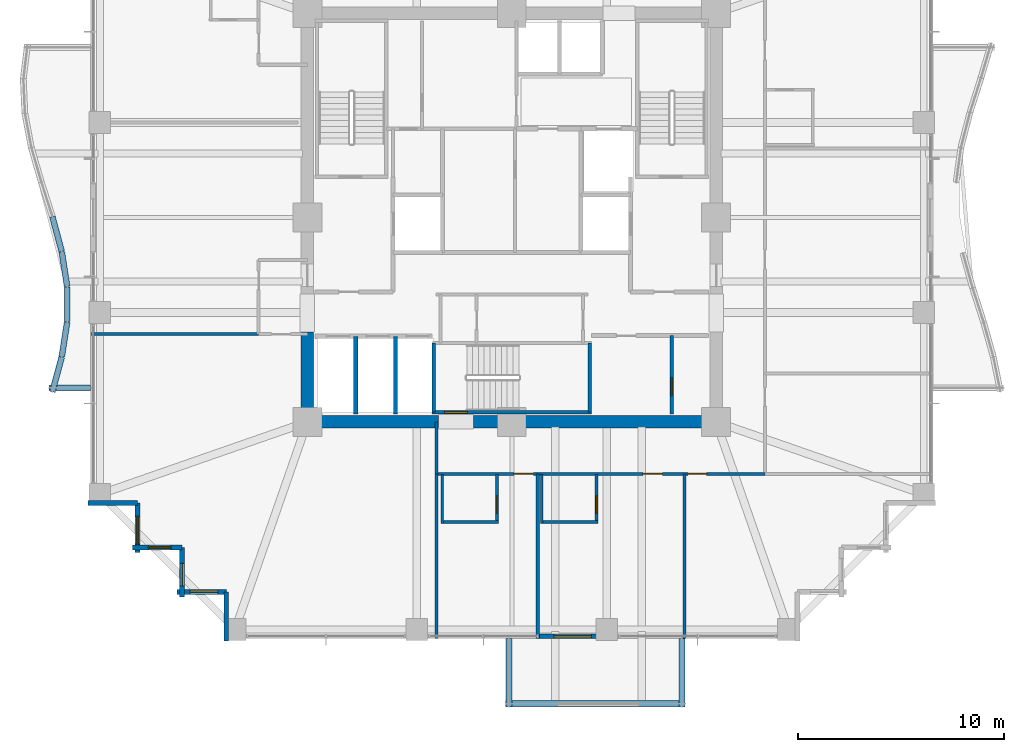
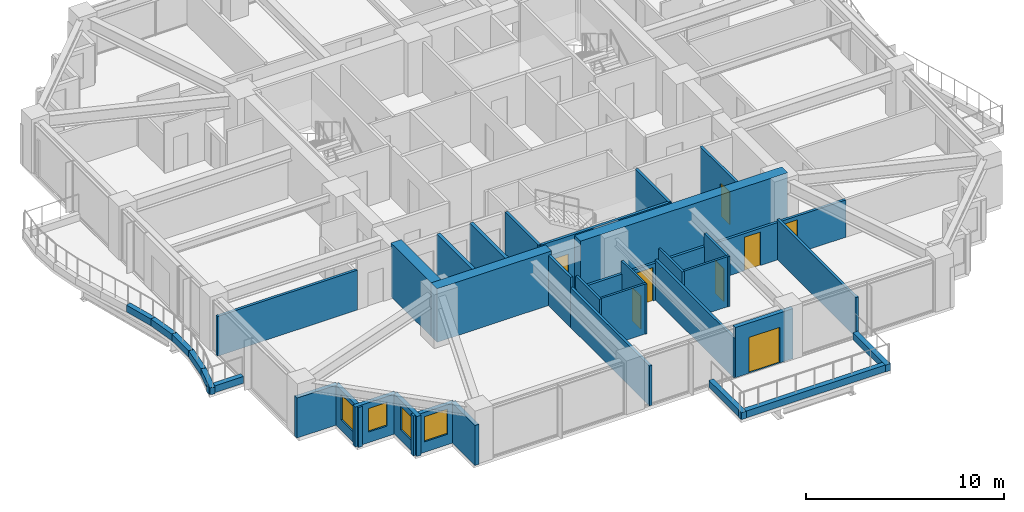
# One storey, part 31 of 38: 37 walls, 8 doors, 4 windows, 12 openings.
"""IFC4 building model written with IfcOpenShell, lengths in metres."""

from ifc_helpers import new_model, si_unit, direction, frame, frame_2d, origin, place, context, subcontext, project, spatial, rectangle, extrude, material, layer, layer_set, type_object, element, fill, save


model = new_model("IFC4")

# Units and contexts
model_context = context("Model", 3, precision=1e-05, world=origin(), true_north=direction((0.0, 1.0)))
body_context = subcontext(model_context, "Body", "Model", "MODEL_VIEW")
ifc_project = project(units=[si_unit("LENGTHUNIT", "METRE"), si_unit("AREAUNIT", "SQUARE_METRE"), si_unit("VOLUMEUNIT", "CUBIC_METRE"), si_unit("PLANEANGLEUNIT", "RADIAN"), si_unit("MASSUNIT", "GRAM", prefix="KILO")], contexts=[model_context])

# Site, building, storey
site_placement = place(None, origin())
site = spatial("IfcSite", under=ifc_project, at=site_placement, CompositionType="ELEMENT")
building_placement = place(site_placement, origin())
building = spatial("IfcBuilding", under=site, at=building_placement, Name="Kolvaren Belvedere", CompositionType="ELEMENT")
storey_placement = place(building_placement, frame((0.0, 0.0, 101.89990234375)))
storey = spatial("IfcBuildingStorey", under=building, at=storey_placement, Name="L29", CompositionType="ELEMENT", Elevation=101.89990234375)

# Walls
ifc_material_1 = material(Name="Concrete C60/75", Category="concrete")
ifc_layer_1 = layer(ifc_material_1, 0.60009765625)
ifc_layer_set_1 = layer_set([ifc_layer_1], Name="Concrete C60/75")
wall_type_1 = type_object("IfcWallType", Name="CW-CORE-600", PredefinedType="SHEAR", material=ifc_layer_set_1)
wall_1_placement = place(storey_placement, frame((10.199951171875, -9.89990234375, 0.0), z_axis=(0.0, 0.0, 1.0), x_axis=(-1.0, 0.0, 0.0)))
element("IfcWall", 1, at=wall_1_placement, inside=storey, type_object=wall_type_1, Name="L29 South Core Shear Wall 1", PredefinedType="SHEAR", context=body_context, shape_type="SweptSolid", body=[
    extrude(rectangle(XDim=12.06005859375, YDim=0.60009765625, at=frame_2d((6.030029296875, 0.0))), origin(), (0.0, 0.0, 1.0), 3.300048828125),
])
wall_2_placement = place(storey_placement, frame((-3.5400390625, -9.89990234375, 0.0), z_axis=(0.0, 0.0, 1.0), x_axis=(-1.0, 0.0, 0.0)))
element("IfcWall", 2, at=wall_2_placement, inside=storey, type_object=wall_type_1, Name="L29 South Core Shear Wall 2", PredefinedType="SHEAR", context=body_context, shape_type="SweptSolid", body=[
    extrude(rectangle(XDim=6.659912109375, YDim=0.60009765625, at=frame_2d((3.330078125, 0.0))), origin(), (0.0, 0.0, 1.0), 3.300048828125),
])
wall_3_placement = place(storey_placement, frame((-9.89990234375, -9.60009765625, 0.0), z_axis=(0.0, 0.0, 1.0), x_axis=(0.0, 1.0, 0.0)))
element("IfcWall", 3, at=wall_3_placement, inside=storey, type_object=wall_type_1, Name="L29 West Core Shear Wall 1", PredefinedType="SHEAR", context=body_context, shape_type="SweptSolid", body=[
    extrude(rectangle(XDim=4.050048828125, YDim=0.60009765625, at=frame_2d((2.02490234375, 0.0))), origin(), (0.0, 0.0, 1.0), 3.300048828125),
])

# Wall, opening, door
ifc_material_2 = material(Name="Concrete C50/60", Category="concrete")
ifc_layer_2 = layer(ifc_material_2, 0.159912109375)
ifc_layer_set_2 = layer_set([ifc_layer_2], Name="Concrete C50/60")
wall_type_2 = type_object("IfcWallType", Name="CW-STAIR-160", PredefinedType="SHEAR", material=ifc_layer_set_2)
wall_4_placement = place(storey_placement, frame((3.860107421875, -9.429931640625, 0.0), z_axis=(0.0, 0.0, 1.0), x_axis=(-1.0, 0.0, 0.0)))
wall_4 = element("IfcWall", 4, at=wall_4_placement, inside=storey, type_object=wall_type_2, Name="L29 Stair ST-3 South Shear Wall", PredefinedType="SHEAR", context=body_context, shape_type="SweptSolid", body=[
    extrude(rectangle(XDim=7.72021484375, YDim=0.159912109375, at=frame_2d((3.860107421875, 0.0))), origin(), (0.0, 0.0, 1.0), 3.300048828125),
])
opening_1_placement = place(wall_4_placement, frame((6.010009765625, 0.0, 0.0)))
opening_1 = element("IfcOpeningElement", 5, at=opening_1_placement, cuts=wall_4, Name="Opening D-FD90", PredefinedType="OPENING", context=body_context, shape_type="SweptSolid", body=[
    extrude(rectangle(XDim=1.10009765625, YDim=2.199951171875, at=frame_2d((0.550048828125, 1.10009765625))), frame((0.0, 0.08984375, 0.0), z_axis=(0.0, -1.0, 0.0), x_axis=(1.0, 0.0, 0.0)), (0.0, 0.0, 1.0), 0.179931640625),
])
ifc_material_3 = material(Name="Painted hollow stainless steel", Category="steel")
door_type_1 = type_object("IfcDoorType", Name="DR-FD90-1100", OperationType="NOTDEFINED", PredefinedType="DOOR", material=ifc_material_3)
door_1_placement = place(opening_1_placement, origin())
door_1 = element("IfcDoor", 6, at=door_1_placement, inside=storey, type_object=door_type_1, Name="L29 Stair ST-3 Exit Door", OperationType="SINGLE_SWING_RIGHT", OverallHeight=2.199951171875, OverallWidth=1.10009765625, PredefinedType="DOOR", context=body_context, shape_type="SweptSolid", body=[
    extrude(rectangle(XDim=1.10009765625, YDim=2.199951171875, at=frame_2d((0.550048828125, 1.10009765625))), frame((0.0, 0.02490234375, 0.0), z_axis=(0.0, -1.0, 0.0), x_axis=(1.0, 0.0, 0.0)), (0.0, 0.0, 1.0), 0.050048828125),
])
fill(opening_1, door_1)

# Walls
for number, where, z_axis, x_axis, name in (
    (7, (-3.780029296875, -9.429931640625, 0.0), (0.0, 0.0, 1.0), (0.0, 1.0, 0.0), "L29 Stair ST-3 West Shear Wall"),
    (8, (3.780029296875, -9.429931640625, 0.0), (0.0, 0.0, 1.0), (0.0, 1.0, 0.0), "L29 Stair ST-3 East Shear Wall"),
):
    element("IfcWall", number, at=place(storey_placement, frame(where, z_axis=z_axis, x_axis=x_axis)), inside=storey, type_object=wall_type_2, Name=name, PredefinedType="SHEAR", context=body_context, shape_type="SweptSolid", body=[
        extrude(rectangle(XDim=3.349853515625, YDim=0.159912109375, at=frame_2d((1.6748046875, 0.0))), origin(), (0.0, 0.0, 1.0), 3.300048828125),
    ])

# Wall, openings, doors
ifc_material_4 = material(Name="Gypsum fire-rated partition assembly", Category="gypsum")
ifc_layer_3 = layer(ifc_material_4, 0.14990234375)
ifc_layer_set_3 = layer_set([ifc_layer_3], Name="Gypsum fire-rated partition assembly")
wall_type_3 = type_object("IfcWallType", Name="WL-CORR-150", PredefinedType="PARTITIONING", material=ifc_layer_set_3)
wall_5_placement = place(storey_placement, frame((-3.64990234375, -12.419921875, 0.0), z_axis=(0.0, 0.0, 1.0), x_axis=(1.0, 0.0, 0.0)))
wall_5 = element("IfcWall", 9, at=wall_5_placement, inside=storey, type_object=wall_type_3, Name="L29 South-East Corridor Wall", PredefinedType="PARTITIONING", context=body_context, shape_type="SweptSolid", body=[
    extrude(rectangle(XDim=15.909912109375, YDim=0.14990234375, at=frame_2d((7.955078125, 0.0))), origin(), (0.0, 0.0, 1.0), 2.2919921875),
])
opening_2_placement = place(wall_5_placement, frame((3.748779296875, 0.0, 0.0)))
opening_2 = element("IfcOpeningElement", 10, at=opening_2_placement, cuts=wall_5, Name="Opening D-FD60", PredefinedType="OPENING", context=body_context, shape_type="SweptSolid", body=[
    extrude(rectangle(XDim=0.949951171875, YDim=2.06005859375, at=frame_2d((0.47509765625, 1.030029296875))), frame((0.0, 0.0849609375, 0.0), z_axis=(0.0, -1.0, 0.0), x_axis=(1.0, 0.0, 0.0)), (0.0, 0.0, 1.0), 0.169921875),
])
opening_3_placement = place(wall_5_placement, frame((9.9990234375, 0.0, 0.0)))
opening_3 = element("IfcOpeningElement", 11, at=opening_3_placement, cuts=wall_5, Name="Opening D-FD60", PredefinedType="OPENING", context=body_context, shape_type="SweptSolid", body=[
    extrude(rectangle(XDim=0.949951171875, YDim=2.06005859375, at=frame_2d((0.47509765625, 1.030029296875))), frame((0.0, 0.0849609375, 0.0), z_axis=(0.0, -1.0, 0.0), x_axis=(1.0, 0.0, 0.0)), (0.0, 0.0, 1.0), 0.169921875),
])
opening_4_placement = place(wall_5_placement, frame((12.193359375, 0.0, 0.0)))
opening_4 = element("IfcOpeningElement", 12, at=opening_4_placement, cuts=wall_5, Name="Opening D-INT90", PredefinedType="OPENING", context=body_context, shape_type="SweptSolid", body=[
    extrude(rectangle(XDim=0.89990234375, YDim=2.06005859375, at=frame_2d((0.449951171875, 1.030029296875))), frame((0.0, 0.0849609375, 0.0), z_axis=(0.0, -1.0, 0.0), x_axis=(1.0, 0.0, 0.0)), (0.0, 0.0, 1.0), 0.169921875),
])
ifc_material_5 = material(Name="Acoustic white-oak fire door leaf", Category="timber")
door_type_2 = type_object("IfcDoorType", Name="DR-FD60-950", OperationType="NOTDEFINED", PredefinedType="DOOR", material=ifc_material_5)
door_2_placement = place(opening_2_placement, origin())
door_2 = element("IfcDoor", 13, at=door_2_placement, inside=storey, type_object=door_type_2, Name="L29 King Guest Room 2910 Entry Door", OperationType="SINGLE_SWING_RIGHT", OverallHeight=2.06005859375, OverallWidth=0.949951171875, PredefinedType="DOOR", context=body_context, shape_type="SweptSolid", body=[
    extrude(rectangle(XDim=0.949951171875, YDim=2.06005859375, at=frame_2d((0.47509765625, 1.030029296875))), frame((0.0, 0.02490234375, 0.0), z_axis=(0.0, -1.0, 0.0), x_axis=(1.0, 0.0, 0.0)), (0.0, 0.0, 1.0), 0.050048828125),
])
fill(opening_2, door_2)
door_3_placement = place(opening_3_placement, origin())
door_3 = element("IfcDoor", 14, at=door_3_placement, inside=storey, type_object=door_type_2, Name="L29 Botanical Hospitality Suite 2911 Entry Door", OperationType="SINGLE_SWING_RIGHT", OverallHeight=2.06005859375, OverallWidth=0.949951171875, PredefinedType="DOOR", context=body_context, shape_type="SweptSolid", body=[
    extrude(rectangle(XDim=0.949951171875, YDim=2.06005859375, at=frame_2d((0.47509765625, 1.030029296875))), frame((0.0, 0.02490234375, 0.0), z_axis=(0.0, -1.0, 0.0), x_axis=(1.0, 0.0, 0.0)), (0.0, 0.0, 1.0), 0.050048828125),
])
fill(opening_3, door_3)
ifc_material_6 = material(Name="Stained Pacific white oak", Category="timber")
door_type_3 = type_object("IfcDoorType", Name="DR-INT-900", OperationType="NOTDEFINED", PredefinedType="DOOR", material=ifc_material_6)
door_4_placement = place(opening_4_placement, origin())
door_4 = element("IfcDoor", 15, at=door_4_placement, inside=storey, type_object=door_type_3, Name="L29 Lounge 2912 Door", OperationType="SINGLE_SWING_LEFT", OverallHeight=2.06005859375, OverallWidth=0.89990234375, PredefinedType="DOOR", context=body_context, shape_type="SweptSolid", body=[
    extrude(rectangle(XDim=0.89990234375, YDim=2.06005859375, at=frame_2d((0.449951171875, 1.030029296875))), frame((0.0, 0.02490234375, 0.0), z_axis=(0.0, -1.0, 0.0), x_axis=(1.0, 0.0, 0.0)), (0.0, 0.0, 1.0), 0.050048828125),
])
fill(opening_4, door_4)

# Wall
wall_6_placement = place(storey_placement, frame((-3.64990234375, -12.419921875, 0.0), z_axis=(0.0, 0.0, 1.0), x_axis=(0.0, 1.0, 0.0)))
element("IfcWall", 16, at=wall_6_placement, inside=storey, type_object=wall_type_3, Name="L29 South Spur West Closure Wall", PredefinedType="PARTITIONING", context=body_context, shape_type="SweptSolid", body=[
    extrude(rectangle(XDim=2.52001953125, YDim=0.14990234375, at=frame_2d((1.260009765625, 0.0))), origin(), (0.0, 0.0, 1.0), 3.080078125),
])

# Wall, opening, door
ifc_material_7 = material(Name="Insulated pale-metal facade wall assembly", Category="aluminium")
ifc_layer_4 = layer(ifc_material_7, 0.239990234375)
ifc_layer_set_4 = layer_set([ifc_layer_4], Name="Insulated pale-metal facade wall assembly")
wall_type_4 = type_object("IfcWallType", Name="WL-EXT-240", PredefinedType="STANDARD", material=ifc_layer_set_4)
wall_7_placement = place(storey_placement, frame((4.6298828125, -20.280029296875, 0.0), z_axis=(0.0, 0.0, 1.0), x_axis=(-1.0, 0.0, 0.0)))
wall_7 = element("IfcWall", 17, at=wall_7_placement, inside=storey, type_object=wall_type_4, Name="L29 South Terrace Portal Wall", PredefinedType="STANDARD", context=body_context, shape_type="SweptSolid", body=[
    extrude(rectangle(XDim=3.35986328125, YDim=0.239990234375, at=frame_2d((1.679931640625, 0.0))), origin(), (0.0, 0.0, 1.0), 3.080078125),
])
opening_5_placement = place(wall_7_placement, frame((0.780029296875, 0.0, 0.0)))
opening_5 = element("IfcOpeningElement", 18, at=opening_5_placement, cuts=wall_7, Name="Opening DB-1800", PredefinedType="OPENING", context=body_context, shape_type="SweptSolid", body=[
    extrude(rectangle(XDim=1.800048828125, YDim=2.199951171875, at=frame_2d((0.89990234375, 1.10009765625))), frame((0.0, 0.1298828125, 0.0), z_axis=(0.0, -1.0, 0.0), x_axis=(1.0, 0.0, 0.0)), (0.0, 0.0, 1.0), 0.260009765625),
])
ifc_material_8 = material(Name="Thermally broken pale-metal aluminium & low-iron glass", Category="aluminium")
door_type_4 = type_object("IfcDoorType", Name="DR-BAL-1800", OperationType="DOUBLE_DOOR_SLIDING", PredefinedType="DOOR", material=ifc_material_8)
door_5_placement = place(opening_5_placement, origin())
door_5 = element("IfcDoor", 19, at=door_5_placement, inside=storey, type_object=door_type_4, Name="L29 South Planted Terrace Sliding Door", OperationType="DOUBLE_DOOR_SLIDING", OverallHeight=2.199951171875, OverallWidth=1.800048828125, PredefinedType="DOOR", context=body_context, shape_type="SweptSolid", body=[
    extrude(rectangle(XDim=1.800048828125, YDim=2.199951171875, at=frame_2d((0.89990234375, 1.10009765625))), frame((0.0, 0.02490234375, 0.0), z_axis=(0.0, -1.0, 0.0), x_axis=(1.0, 0.0, 0.0)), (0.0, 0.0, 1.0), 0.050048828125),
])
fill(opening_5, door_5)

# Wall
wall_8_placement = place(storey_placement, frame((-18.1298828125, -13.830078125, 0.0), z_axis=(0.0, 0.0, 1.0), x_axis=(-1.0, 0.0, 0.0)))
element("IfcWall", 20, at=wall_8_placement, inside=storey, type_object=wall_type_4, Name="L29 Serrated Corner Facade Wall 23", PredefinedType="STANDARD", context=body_context, shape_type="SweptSolid", body=[
    extrude(rectangle(XDim=2.39013671875, YDim=0.239990234375, at=frame_2d((1.195068359375, 0.0))), origin(), (0.0, 0.0, 1.0), 2.458984375),
])

# Wall, opening, window
wall_9_placement = place(storey_placement, frame((-18.1298828125, -16.219970703125, 0.0), z_axis=(0.0, 0.0, 1.0), x_axis=(0.0, 1.0, 0.0)))
wall_9 = element("IfcWall", 21, at=wall_9_placement, inside=storey, type_object=wall_type_4, Name="L29 Serrated Corner Facade Wall 24", PredefinedType="STANDARD", context=body_context, shape_type="SweptSolid", body=[
    extrude(rectangle(XDim=2.389892578125, YDim=0.239990234375, at=frame_2d((1.19482421875, 0.0))), origin(), (0.0, 0.0, 1.0), 2.458984375),
])
opening_6_placement = place(wall_9_placement, frame((0.39990234375, 0.0, 0.64990234375)))
opening_6 = element("IfcOpeningElement", 22, at=opening_6_placement, cuts=wall_9, Name="Opening W-1350", PredefinedType="OPENING", context=body_context, shape_type="SweptSolid", body=[
    extrude(rectangle(XDim=1.35009765625, YDim=1.550048828125, at=frame_2d((0.675048828125, 0.77490234375))), frame((0.0, 0.1298828125, 0.0), z_axis=(0.0, -1.0, 0.0), x_axis=(1.0, 0.0, 0.0)), (0.0, 0.0, 1.0), 0.260009765625),
])
ifc_material_9 = material(Name="Low-iron triple insulated glass", Category="glass")
window_type_1 = type_object("IfcWindowType", Name="WN-CORN-1350", PartitioningType="SINGLE_PANEL", PredefinedType="WINDOW", material=ifc_material_9)
window_1_placement = place(opening_6_placement, origin())
window_1 = element("IfcWindow", 23, at=window_1_placement, inside=storey, type_object=window_type_1, Name="L29 Serrated Corner Vision Window 24", OverallHeight=1.550048828125, OverallWidth=1.35009765625, PartitioningType="SINGLE_PANEL", PredefinedType="WINDOW", context=body_context, shape_type="SweptSolid", body=[
    extrude(rectangle(XDim=1.35009765625, YDim=1.550048828125, at=frame_2d((0.675048828125, 0.77490234375))), frame((0.0, 0.030029296875, 0.0), z_axis=(0.0, -1.0, 0.0), x_axis=(1.0, 0.0, 0.0)), (0.0, 0.0, 1.0), 0.06005859375),
])
fill(opening_6, window_1)

wall_10_placement = place(storey_placement, frame((-15.97998046875, -15.97998046875, 0.0), z_axis=(0.0, 0.0, 1.0), x_axis=(-1.0, 0.0, 0.0)))
wall_10 = element("IfcWall", 24, at=wall_10_placement, inside=storey, type_object=wall_type_4, Name="L29 Serrated Corner Facade Wall 25", PredefinedType="STANDARD", context=body_context, shape_type="SweptSolid", body=[
    extrude(rectangle(XDim=2.39013671875, YDim=0.239990234375, at=frame_2d((1.195068359375, 0.0))), origin(), (0.0, 0.0, 1.0), 2.458984375),
])
opening_7_placement = place(wall_10_placement, frame((0.52490234375, 0.0, 0.64990234375)))
opening_7 = element("IfcOpeningElement", 25, at=opening_7_placement, cuts=wall_10, Name="Opening W-1100", PredefinedType="OPENING", context=body_context, shape_type="SweptSolid", body=[
    extrude(rectangle(XDim=1.10009765625, YDim=1.449951171875, at=frame_2d((0.550048828125, 0.72509765625))), frame((0.0, 0.1298828125, 0.0), z_axis=(0.0, -1.0, 0.0), x_axis=(1.0, 0.0, 0.0)), (0.0, 0.0, 1.0), 0.260009765625),
])
ifc_material_10 = material(Name="Low-iron triple insulated glass", Category="glass")
window_type_2 = type_object("IfcWindowType", Name="WN-CORN-1100", PartitioningType="SINGLE_PANEL", PredefinedType="WINDOW", material=ifc_material_10)
window_2_placement = place(opening_7_placement, origin())
window_2 = element("IfcWindow", 26, at=window_2_placement, inside=storey, type_object=window_type_2, Name="L29 Serrated Corner Vision Window 25", OverallHeight=1.449951171875, OverallWidth=1.10009765625, PartitioningType="SINGLE_PANEL", PredefinedType="WINDOW", context=body_context, shape_type="SweptSolid", body=[
    extrude(rectangle(XDim=1.10009765625, YDim=1.449951171875, at=frame_2d((0.550048828125, 0.72509765625))), frame((0.0, 0.030029296875, 0.0), z_axis=(0.0, -1.0, 0.0), x_axis=(1.0, 0.0, 0.0)), (0.0, 0.0, 1.0), 0.06005859375),
])
fill(opening_7, window_2)

wall_11_placement = place(storey_placement, frame((-15.97998046875, -18.3701171875, 0.0), z_axis=(0.0, 0.0, 1.0), x_axis=(0.0, 1.0, 0.0)))
wall_11 = element("IfcWall", 27, at=wall_11_placement, inside=storey, type_object=wall_type_4, Name="L29 Serrated Corner Facade Wall 26", PredefinedType="STANDARD", context=body_context, shape_type="SweptSolid", body=[
    extrude(rectangle(XDim=2.39013671875, YDim=0.239990234375, at=frame_2d((1.195068359375, 0.0))), origin(), (0.0, 0.0, 1.0), 2.458984375),
])
opening_8_placement = place(wall_11_placement, frame((0.52490234375, 0.0, 0.64990234375)))
opening_8 = element("IfcOpeningElement", 28, at=opening_8_placement, cuts=wall_11, Name="Opening W-1100", PredefinedType="OPENING", context=body_context, shape_type="SweptSolid", body=[
    extrude(rectangle(XDim=1.10009765625, YDim=1.449951171875, at=frame_2d((0.550048828125, 0.72509765625))), frame((0.0, 0.1298828125, 0.0), z_axis=(0.0, -1.0, 0.0), x_axis=(1.0, 0.0, 0.0)), (0.0, 0.0, 1.0), 0.260009765625),
])
window_3_placement = place(opening_8_placement, origin())
window_3 = element("IfcWindow", 29, at=window_3_placement, inside=storey, type_object=window_type_2, Name="L29 Serrated Corner Vision Window 26", OverallHeight=1.449951171875, OverallWidth=1.10009765625, PartitioningType="SINGLE_PANEL", PredefinedType="WINDOW", context=body_context, shape_type="SweptSolid", body=[
    extrude(rectangle(XDim=1.10009765625, YDim=1.449951171875, at=frame_2d((0.550048828125, 0.72509765625))), frame((0.0, 0.030029296875, 0.0), z_axis=(0.0, -1.0, 0.0), x_axis=(1.0, 0.0, 0.0)), (0.0, 0.0, 1.0), 0.06005859375),
])
fill(opening_8, window_3)

wall_12_placement = place(storey_placement, frame((-13.830078125, -18.1298828125, 0.0), z_axis=(0.0, 0.0, 1.0), x_axis=(-1.0, 0.0, 0.0)))
wall_12 = element("IfcWall", 30, at=wall_12_placement, inside=storey, type_object=wall_type_4, Name="L29 Serrated Corner Facade Wall 27", PredefinedType="STANDARD", context=body_context, shape_type="SweptSolid", body=[
    extrude(rectangle(XDim=2.389892578125, YDim=0.239990234375, at=frame_2d((1.19482421875, 0.0))), origin(), (0.0, 0.0, 1.0), 2.458984375),
])
opening_9_placement = place(wall_12_placement, frame((0.39990234375, 0.0, 0.64990234375)))
opening_9 = element("IfcOpeningElement", 31, at=opening_9_placement, cuts=wall_12, Name="Opening W-1350", PredefinedType="OPENING", context=body_context, shape_type="SweptSolid", body=[
    extrude(rectangle(XDim=1.35009765625, YDim=1.550048828125, at=frame_2d((0.675048828125, 0.77490234375))), frame((0.0, 0.1298828125, 0.0), z_axis=(0.0, -1.0, 0.0), x_axis=(1.0, 0.0, 0.0)), (0.0, 0.0, 1.0), 0.260009765625),
])
window_4_placement = place(opening_9_placement, origin())
window_4 = element("IfcWindow", 32, at=window_4_placement, inside=storey, type_object=window_type_1, Name="L29 Serrated Corner Vision Window 27", OverallHeight=1.550048828125, OverallWidth=1.35009765625, PartitioningType="SINGLE_PANEL", PredefinedType="WINDOW", context=body_context, shape_type="SweptSolid", body=[
    extrude(rectangle(XDim=1.35009765625, YDim=1.550048828125, at=frame_2d((0.675048828125, 0.77490234375))), frame((0.0, 0.030029296875, 0.0), z_axis=(0.0, -1.0, 0.0), x_axis=(1.0, 0.0, 0.0)), (0.0, 0.0, 1.0), 0.06005859375),
])
fill(opening_9, window_4)

# Wall
wall_13_placement = place(storey_placement, frame((-13.830078125, -20.52001953125, 0.0), z_axis=(0.0, 0.0, 1.0), x_axis=(0.0, 1.0, 0.0)))
element("IfcWall", 33, at=wall_13_placement, inside=storey, type_object=wall_type_4, Name="L29 Serrated Corner Facade Wall 28", PredefinedType="STANDARD", context=body_context, shape_type="SweptSolid", body=[
    extrude(rectangle(XDim=2.39013671875, YDim=0.239990234375, at=frame_2d((1.195068359375, 0.0))), origin(), (0.0, 0.0, 1.0), 2.458984375),
])

# Wall, opening, door
ifc_material_11 = material(Name="Gypsum acoustic partition assembly", Category="gypsum")
ifc_layer_5 = layer(ifc_material_11, 0.14990234375)
ifc_layer_set_5 = layer_set([ifc_layer_5], Name="Gypsum acoustic partition assembly")
wall_type_5 = type_object("IfcWallType", Name="WL-PART-150", PredefinedType="PARTITIONING", material=ifc_layer_set_5)
wall_14_placement = place(storey_placement, frame((7.75, -9.52001953125, 0.0), z_axis=(0.0, 0.0, 1.0), x_axis=(0.0, 1.0, 0.0)))
wall_14 = element("IfcWall", 34, at=wall_14_placement, inside=storey, type_object=wall_type_5, Name="L29 SE Core Asymmetric Divider", PredefinedType="PARTITIONING", context=body_context, shape_type="SweptSolid", body=[
    extrude(rectangle(XDim=3.800048828125, YDim=0.14990234375, at=frame_2d((1.89990234375, 0.0))), origin(), (0.0, 0.0, 1.0), 3.080078125),
])
opening_10_placement = place(wall_14_placement, frame((0.89990234375, 0.0, 0.0)))
opening_10 = element("IfcOpeningElement", 35, at=opening_10_placement, cuts=wall_14, Name="Opening D-INT85", PredefinedType="OPENING", context=body_context, shape_type="SweptSolid", body=[
    extrude(rectangle(XDim=0.85009765625, YDim=2.030029296875, at=frame_2d((0.425048828125, 1.01513671875))), frame((0.0, 0.0849609375, 0.0), z_axis=(0.0, -1.0, 0.0), x_axis=(1.0, 0.0, 0.0)), (0.0, 0.0, 1.0), 0.169921875),
])
ifc_material_12 = material(Name="Stained Pacific white oak", Category="timber")
door_type_5 = type_object("IfcDoorType", Name="DR-INT-850", OperationType="NOTDEFINED", PredefinedType="DOOR", material=ifc_material_12)
door_6_placement = place(opening_10_placement, origin())
door_6 = element("IfcDoor", 36, at=door_6_placement, inside=storey, type_object=door_type_5, Name="L29 SE Janitor Door", OperationType="SINGLE_SWING_LEFT", OverallHeight=2.030029296875, OverallWidth=0.85009765625, PredefinedType="DOOR", context=body_context, shape_type="SweptSolid", body=[
    extrude(rectangle(XDim=0.85009765625, YDim=2.030029296875, at=frame_2d((0.425048828125, 1.01513671875))), frame((0.0, 0.02490234375, 0.0), z_axis=(0.0, -1.0, 0.0), x_axis=(1.0, 0.0, 0.0)), (0.0, 0.0, 1.0), 0.050048828125),
])
fill(opening_10, door_6)

# Walls
wall_15_placement = place(storey_placement, frame((-20.3798828125, -5.64990234375, 0.0), z_axis=(0.0, 0.0, 1.0), x_axis=(1.0, 0.0, 0.0)))
element("IfcWall", 37, at=wall_15_placement, inside=storey, type_object=wall_type_5, Name="L29 West Mid Suite South Wall", PredefinedType="PARTITIONING", context=body_context, shape_type="SweptSolid", body=[
    extrude(rectangle(XDim=8.119873046875, YDim=0.14990234375, at=frame_2d((4.06005859375, 0.0))), origin(), (0.0, 0.0, 1.0), 2.44921875),
])
for number, where, z_axis, x_axis, name in (
    (38, (-3.64990234375, -20.3798828125, 0.0), (0.0, 0.0, 1.0), (0.0, 1.0, 0.0), "L29 South Mid-West Wall"),
    (39, (1.260009765625, -20.3798828125, 0.0), (0.0, 0.0, 1.0), (0.0, 1.0, 0.0), "L29 South-East Suite Divider 1"),
    (40, (8.360107421875, -20.3798828125, 0.0), (0.0, 0.0, 1.0), (0.0, 1.0, 0.0), "L29 South-East Suite Divider 2"),
):
    element("IfcWall", number, at=place(storey_placement, frame(where, z_axis=z_axis, x_axis=x_axis)), inside=storey, type_object=wall_type_5, Name=name, PredefinedType="PARTITIONING", context=body_context, shape_type="SweptSolid", body=[
        extrude(rectangle(XDim=7.9599609375, YDim=0.14990234375, at=frame_2d((3.97998046875, 0.0))), origin(), (0.0, 0.0, 1.0), 2.44921875),
    ])
ifc_material_13 = material(Name="Precast concrete C40/50", Category="concrete")
ifc_layer_6 = layer(ifc_material_13, 0.300048828125)
ifc_layer_set_6 = layer_set([ifc_layer_6], Name="Precast concrete C40/50")
wall_type_6 = type_object("IfcWallType", Name="WL-PLANTER-300", PredefinedType="PARAPET", material=ifc_layer_set_6)
wall_16_placement = place(storey_placement, frame((-0.300048828125, -23.5400390625, -0.039794921875), z_axis=(0.0, 0.0, 1.0), x_axis=(1.0, 0.0, 0.0)))
element("IfcWall", 41, at=wall_16_placement, inside=storey, type_object=wall_type_6, Name="L29 Precast Structural Planter Wall SPIRAL-04-S-1", PredefinedType="PARAPET", context=body_context, shape_type="SweptSolid", body=[
    extrude(rectangle(XDim=8.699951171875, YDim=0.280029296875, at=frame_2d((4.35009765625, 0.0))), origin(), (0.0, 0.0, 1.0), 0.419921875),
])
for number, where, z_axis, x_axis, name in (
    (42, (8.239990234375, -23.699951171875, -0.039794921875), (0.0, 0.0, 1.0), (0.0, 1.0, 0.0), "L29 Precast Structural Planter Wall SPIRAL-04-S-2"),
    (43, (-0.139892578125, -20.39990234375, -0.039794921875), (0.0, 0.0, 1.0), (0.0, -1.0, 0.0), "L29 Precast Structural Planter Wall SPIRAL-04-S-4"),
):
    element("IfcWall", number, at=place(storey_placement, frame(where, z_axis=z_axis, x_axis=x_axis)), inside=storey, type_object=wall_type_6, Name=name, PredefinedType="PARAPET", context=body_context, shape_type="SweptSolid", body=[
        extrude(rectangle(XDim=3.300048828125, YDim=0.280029296875, at=frame_2d((1.64990234375, 0.0))), origin(), (0.0, 0.0, 1.0), 0.419921875),
    ])
wall_17_placement = place(storey_placement, frame((-22.251708984375, 0.041748046875, -0.039794921875), z_axis=(0.0, 0.0, 1.0), x_axis=(0.260682852326, -0.965424492388, 0.0)))
element("IfcWall", 44, at=wall_17_placement, inside=storey, type_object=wall_type_6, Name="L29 Precast Structural Planter Wall BAL-W-6", PredefinedType="PARAPET", context=body_context, shape_type="SweptSolid", body=[
    extrude(rectangle(XDim=1.739990234375, YDim=0.280029296875, at=frame_2d((0.8701171875, 0.0))), origin(), (0.0, 0.0, 1.0), 0.419921875),
])
wall_18_placement = place(storey_placement, frame((-21.794677734375, -1.655517578125, -0.039794921875), z_axis=(0.0, 0.0, 1.0), x_axis=(0.152229849666, -0.988345118302, 0.0)))
element("IfcWall", 45, at=wall_18_placement, inside=storey, type_object=wall_type_6, Name="L29 Precast Structural Planter Wall BAL-W-7", PredefinedType="PARAPET", context=body_context, shape_type="SweptSolid", body=[
    extrude(rectangle(XDim=1.699951171875, YDim=0.280029296875, at=frame_2d((0.85009765625, 0.0))), origin(), (0.0, 0.0, 1.0), 0.419921875),
])
wall_19_placement = place(storey_placement, frame((-21.533935546875, -3.360107421875, -0.039794921875), z_axis=(0.0, 0.0, 1.0), x_axis=(0.0, -1.0, 0.0)))
element("IfcWall", 46, at=wall_19_placement, inside=storey, type_object=wall_type_6, Name="L29 Precast Structural Planter Wall BAL-W-8", PredefinedType="PARAPET", context=body_context, shape_type="SweptSolid", body=[
    extrude(rectangle(XDim=1.679931640625, YDim=0.280029296875, at=frame_2d((0.83984375, 0.0))), origin(), (0.0, 0.0, 1.0), 0.419921875),
])
wall_20_placement = place(storey_placement, frame((-21.535888671875, -5.064453125, -0.039794921875), z_axis=(0.0, 0.0, 1.0), x_axis=(-0.152251460091, -0.988341789514, 0.0)))
element("IfcWall", 47, at=wall_20_placement, inside=storey, type_object=wall_type_6, Name="L29 Precast Structural Planter Wall BAL-W-9", PredefinedType="PARAPET", context=body_context, shape_type="SweptSolid", body=[
    extrude(rectangle(XDim=1.69970703125, YDim=0.280029296875, at=frame_2d((0.849853515625, 0.0))), origin(), (0.0, 0.0, 1.0), 0.419921875),
])
wall_21_placement = place(storey_placement, frame((-21.798095703125, -6.76171875, -0.039794921875), z_axis=(0.0, 0.0, 1.0), x_axis=(-0.260682852326, -0.965424492388, 0.0)))
element("IfcWall", 48, at=wall_21_placement, inside=storey, type_object=wall_type_6, Name="L29 Precast Structural Planter Wall BAL-W-10", PredefinedType="PARAPET", context=body_context, shape_type="SweptSolid", body=[
    extrude(rectangle(XDim=1.739990234375, YDim=0.280029296875, at=frame_2d((0.8701171875, 0.0))), origin(), (0.0, 0.0, 1.0), 0.419921875),
])
wall_22_placement = place(storey_placement, frame((-22.40625, -8.239990234375, -0.039794921875), z_axis=(0.0, 0.0, 1.0), x_axis=(1.0, 0.0, 0.0)))
element("IfcWall", 49, at=wall_22_placement, inside=storey, type_object=wall_type_6, Name="L29 Precast Structural Planter Wall BAL-W-11", PredefinedType="PARAPET", context=body_context, shape_type="SweptSolid", body=[
    extrude(rectangle(XDim=2.00634765625, YDim=0.280029296875, at=frame_2d((1.003173828125, 0.0))), origin(), (0.0, 0.0, 1.0), 0.419921875),
])
ifc_material_14 = material(Name="Concrete C50/60", Category="concrete")
ifc_layer_7 = layer(ifc_material_14, 0.199951171875)
ifc_layer_set_7 = layer_set([ifc_layer_7], Name="Concrete C50/60")
wall_type_7 = type_object("IfcWallType", Name="WL-SHAFT-200", PredefinedType="SOLIDWALL", material=ifc_layer_set_7)
for number, where, z_axis, x_axis, name in (
    (50, (-7.56005859375, -9.52001953125, 0.0), (0.0, 0.0, 1.0), (0.0, 1.0, 0.0), "L29 Mid-Rise Hoistway Divider 1"),
    (51, (-5.6298828125, -9.52001953125, 0.0), (0.0, 0.0, 1.0), (0.0, 1.0, 0.0), "L29 Mid-Rise Hoistway Divider 2"),
):
    element("IfcWall", number, at=place(storey_placement, frame(where, z_axis=z_axis, x_axis=x_axis)), inside=storey, type_object=wall_type_7, Name=name, PredefinedType="SOLIDWALL", context=body_context, shape_type="SweptSolid", body=[
        extrude(rectangle(XDim=3.77001953125, YDim=0.199951171875, at=frame_2d((1.885009765625, 0.0))), origin(), (0.0, 0.0, 1.0), 3.080078125),
    ])

# Wall, opening, door
ifc_material_15 = material(Name="Moisture-resistant gypsum partition", Category="gypsum")
ifc_layer_8 = layer(ifc_material_15, 0.125)
ifc_layer_set_8 = layer_set([ifc_layer_8], Name="Moisture-resistant gypsum partition")
wall_type_8 = type_object("IfcWallType", Name="WL-WET-125", PredefinedType="PARTITIONING", material=ifc_layer_set_8)
wall_23_placement = place(storey_placement, frame((-0.714111328125, -14.824951171875, 0.0), z_axis=(0.0, 0.0, 1.0), x_axis=(0.0, 1.0, 0.0)))
wall_23 = element("IfcWall", 52, at=wall_23_placement, inside=storey, type_object=wall_type_8, Name="L29 Bathroom Partition PW-L29-BTH-10-E", PredefinedType="PARTITIONING", context=body_context, shape_type="SweptSolid", body=[
    extrude(rectangle(XDim=2.389892578125, YDim=0.125, at=frame_2d((1.19482421875, 0.0))), origin(), (0.0, 0.0, 1.0), 3.080078125),
])
opening_11_placement = place(wall_23_placement, frame((0.5, 0.0, 0.0)))
opening_11 = element("IfcOpeningElement", 53, at=opening_11_placement, cuts=wall_23, Name="Opening D-BTH85", PredefinedType="OPENING", context=body_context, shape_type="SweptSolid", body=[
    extrude(rectangle(XDim=0.85009765625, YDim=2.030029296875, at=frame_2d((0.425048828125, 1.01513671875))), frame((0.0, 0.072509765625, 0.0), z_axis=(0.0, -1.0, 0.0), x_axis=(1.0, 0.0, 0.0)), (0.0, 0.0, 1.0), 0.14501953125),
])
ifc_material_16 = material(Name="Moisture-sealed Pacific white oak", Category="timber")
door_type_6 = type_object("IfcDoorType", Name="DR-BATH-850", OperationType="NOTDEFINED", PredefinedType="DOOR", material=ifc_material_16)
door_7_placement = place(opening_11_placement, origin())
door_7 = element("IfcDoor", 54, at=door_7_placement, inside=storey, type_object=door_type_6, Name="L29 En-Suite Bathroom 2910 Door", OperationType="SINGLE_SWING_LEFT", OverallHeight=2.030029296875, OverallWidth=0.85009765625, PredefinedType="DOOR", context=body_context, shape_type="SweptSolid", body=[
    extrude(rectangle(XDim=0.85009765625, YDim=2.030029296875, at=frame_2d((0.425048828125, 1.01513671875))), frame((0.0, 0.02490234375, 0.0), z_axis=(0.0, -1.0, 0.0), x_axis=(1.0, 0.0, 0.0)), (0.0, 0.0, 1.0), 0.050048828125),
])
fill(opening_11, door_7)

# Walls
wall_24_placement = place(storey_placement, frame((-3.424072265625, -14.7451171875, 0.0), z_axis=(0.0, 0.0, 1.0), x_axis=(1.0, 0.0, 0.0)))
element("IfcWall", 55, at=wall_24_placement, inside=storey, type_object=wall_type_8, Name="L29 Bathroom Partition PW-L29-BTH-10-H", PredefinedType="PARTITIONING", context=body_context, shape_type="SweptSolid", body=[
    extrude(rectangle(XDim=2.77001953125, YDim=0.125, at=frame_2d((1.385009765625, 0.0))), origin(), (0.0, 0.0, 1.0), 3.080078125),
])
wall_25_placement = place(storey_placement, frame((-3.364013671875, -14.824951171875, 0.0), z_axis=(0.0, 0.0, 1.0), x_axis=(0.0, 1.0, 0.0)))
element("IfcWall", 56, at=wall_25_placement, inside=storey, type_object=wall_type_8, Name="L29 Bathroom Partition PW-L29-BTH-10-W", PredefinedType="PARTITIONING", context=body_context, shape_type="SweptSolid", body=[
    extrude(rectangle(XDim=2.389892578125, YDim=0.125, at=frame_2d((1.19482421875, 0.0))), origin(), (0.0, 0.0, 1.0), 3.080078125),
])

# Wall, opening, door
wall_26_placement = place(storey_placement, frame((4.10498046875, -14.824951171875, 0.0), z_axis=(0.0, 0.0, 1.0), x_axis=(0.0, 1.0, 0.0)))
wall_26 = element("IfcWall", 57, at=wall_26_placement, inside=storey, type_object=wall_type_8, Name="L29 Bathroom Partition PW-L29-BTH-11-E", PredefinedType="PARTITIONING", context=body_context, shape_type="SweptSolid", body=[
    extrude(rectangle(XDim=2.389892578125, YDim=0.125, at=frame_2d((1.19482421875, 0.0))), origin(), (0.0, 0.0, 1.0), 3.080078125),
])
opening_12_placement = place(wall_26_placement, frame((0.5, 0.0, 0.0)))
opening_12 = element("IfcOpeningElement", 58, at=opening_12_placement, cuts=wall_26, Name="Opening D-BTH85", PredefinedType="OPENING", context=body_context, shape_type="SweptSolid", body=[
    extrude(rectangle(XDim=0.85009765625, YDim=2.030029296875, at=frame_2d((0.425048828125, 1.01513671875))), frame((0.0, 0.072509765625, 0.0), z_axis=(0.0, -1.0, 0.0), x_axis=(1.0, 0.0, 0.0)), (0.0, 0.0, 1.0), 0.14501953125),
])
door_8_placement = place(opening_12_placement, origin())
door_8 = element("IfcDoor", 59, at=door_8_placement, inside=storey, type_object=door_type_6, Name="L29 En-Suite Bathroom 2911 Door", OperationType="SINGLE_SWING_LEFT", OverallHeight=2.030029296875, OverallWidth=0.85009765625, PredefinedType="DOOR", context=body_context, shape_type="SweptSolid", body=[
    extrude(rectangle(XDim=0.85009765625, YDim=2.030029296875, at=frame_2d((0.425048828125, 1.01513671875))), frame((0.0, 0.02490234375, 0.0), z_axis=(0.0, -1.0, 0.0), x_axis=(1.0, 0.0, 0.0)), (0.0, 0.0, 1.0), 0.050048828125),
])
fill(opening_12, door_8)

# Walls
wall_27_placement = place(storey_placement, frame((1.39501953125, -14.7451171875, 0.0), z_axis=(0.0, 0.0, 1.0), x_axis=(1.0, 0.0, 0.0)))
element("IfcWall", 60, at=wall_27_placement, inside=storey, type_object=wall_type_8, Name="L29 Bathroom Partition PW-L29-BTH-11-H", PredefinedType="PARTITIONING", context=body_context, shape_type="SweptSolid", body=[
    extrude(rectangle(XDim=2.77001953125, YDim=0.125, at=frame_2d((1.385009765625, 0.0))), origin(), (0.0, 0.0, 1.0), 3.080078125),
])
wall_28_placement = place(storey_placement, frame((1.455078125, -14.824951171875, 0.0), z_axis=(0.0, 0.0, 1.0), x_axis=(0.0, 1.0, 0.0)))
element("IfcWall", 61, at=wall_28_placement, inside=storey, type_object=wall_type_8, Name="L29 Bathroom Partition PW-L29-BTH-11-W", PredefinedType="PARTITIONING", context=body_context, shape_type="SweptSolid", body=[
    extrude(rectangle(XDim=2.389892578125, YDim=0.125, at=frame_2d((1.19482421875, 0.0))), origin(), (0.0, 0.0, 1.0), 3.080078125),
])

save(model, "model.ifc")
